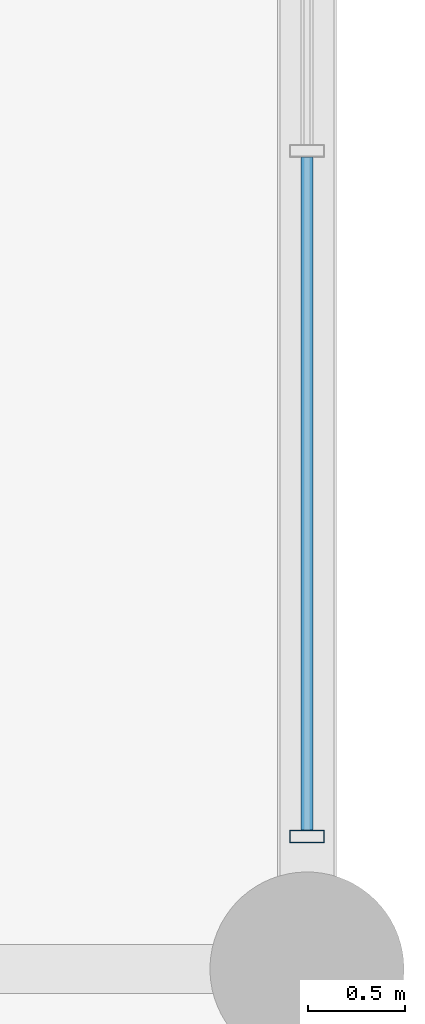
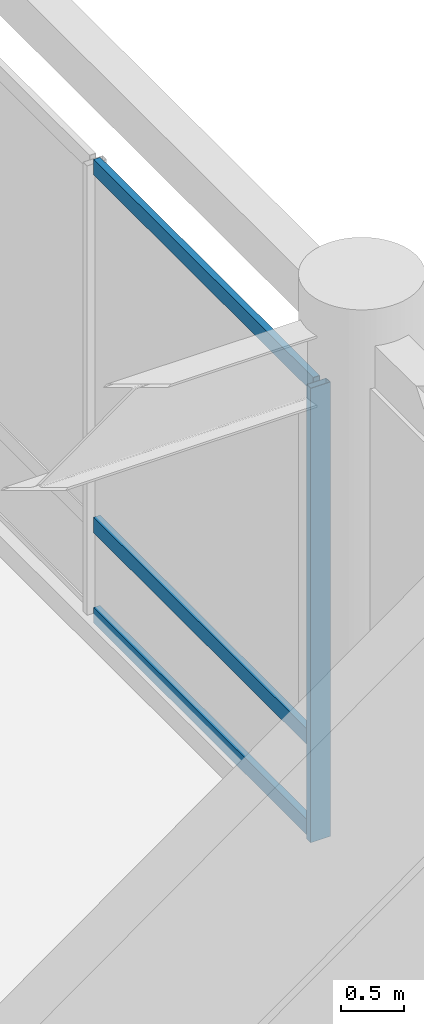
# One storey, part 73 of 108: 4 members, 1 element without a shape of its own.
"""IFC4 building model written with IfcOpenShell, lengths in metres."""

from ifc_helpers import new_model, si_unit, direction, frame, origin, origin_2d, place, context, subcontext, project, spatial, hollow_rectangle, extrude, material, material_profile, profile_set, type_object, element, aggregate, save


model = new_model("IFC4")

# Units and contexts
model_context = context("Model", 3, precision=1e-05, world=origin(), true_north=direction((0.0, 1.0)))
body_context = subcontext(model_context, "Body", "Model", "MODEL_VIEW")
ifc_project = project(units=[si_unit("LENGTHUNIT", "METRE"), si_unit("AREAUNIT", "SQUARE_METRE"), si_unit("VOLUMEUNIT", "CUBIC_METRE"), si_unit("PLANEANGLEUNIT", "RADIAN"), si_unit("MASSUNIT", "GRAM", prefix="KILO")], contexts=[model_context])

# Site, building, storey
site_placement = place(None, origin())
site = spatial("IfcSite", under=ifc_project, at=site_placement, CompositionType="ELEMENT")
building_placement = place(site_placement, origin())
building = spatial("IfcBuilding", under=site, at=building_placement, Name="Kaldorvane Square Convention Centre", CompositionType="ELEMENT")
storey_placement = place(building_placement, frame((0.0, 0.0, 12.0)))
storey = spatial("IfcBuildingStorey", under=building, at=storey_placement, Name="L02", CompositionType="ELEMENT", Elevation=12.0)

# Curtain wall, members
ifc_material = material(Name="Anodized Aluminum and Low-E Insulated Glazing", Category="aluminium")
curtain_wall_type = type_object("IfcCurtainWallType", Name="CW-UNI-P60-09", PredefinedType="USERDEFINED", material=ifc_material)
curtain_wall_placement = place(storey_placement, origin())
curtain_wall = element("IfcCurtainWall", 1, at=curtain_wall_placement, inside=storey, type_object=curtain_wall_type, Name="Curtain Wall CW-02 (L02)", ObjectType="UNITISED GLAZING", PredefinedType="USERDEFINED")
ifc_material_profile_1 = material_profile(ifc_material, hollow_rectangle(XDim=0.06500244140625, YDim=0.17999267578125, WallThickness=0.0034942626953125, at=origin_2d()), Name="CWM-180X65")
ifc_profile_set_1 = profile_set([ifc_material_profile_1], Name="Anodized Aluminum and Low-E Insulated Glazing")
member_type_1 = type_object("IfcMemberType", Name="CW-MUL-180", PredefinedType="MULLION", material=ifc_profile_set_1)
member_1_placement = place(storey_placement, frame((174.0, 84.6824951171875, 0.149993896484375), z_axis=(0.0, 0.0, 1.0), x_axis=(0.0, 1.0, 0.0)))
member_1 = element("IfcMember", 2, at=member_1_placement, type_object=member_type_1, Name="CW-02 mullion 1", PredefinedType="MULLION", context=body_context, shape_type="SweptSolid", body=[
    extrude(hollow_rectangle(XDim=0.06500244140625, YDim=0.17999267578125, WallThickness=0.0034942626953125, at=origin_2d()), origin(), (0.0, 0.0, 1.0), 4.3800048828125),
])
ifc_material_profile_2 = material_profile(ifc_material, hollow_rectangle(XDim=0.05999755859375, YDim=0.149993896484375, WallThickness=0.003204345703125, at=origin_2d()), Name="CWT-150X60")
ifc_profile_set_2 = profile_set([ifc_material_profile_2], Name="Anodized Aluminum and Low-E Insulated Glazing")
member_type_2 = type_object("IfcMemberType", Name="CW-TRN-150", PredefinedType="USERDEFINED", material=ifc_profile_set_2)
member_2_placement = place(storey_placement, frame((174.0, 84.71499633789062, 0.17999267578125), z_axis=(0.0, 1.0, 0.0), x_axis=(-1.0, 0.0, 0.0)))
member_2 = element("IfcMember", 3, at=member_2_placement, type_object=member_type_2, Name="CW-02 transom 1.1", ObjectType="TRANSOM", PredefinedType="USERDEFINED", context=body_context, shape_type="SweptSolid", body=[
    extrude(hollow_rectangle(XDim=0.05999755859375, YDim=0.149993896484375, WallThickness=0.003204345703125, at=origin_2d()), origin(), (0.0, 0.0, 1.0), 3.46917724609375),
])
member_3_placement = place(storey_placement, frame((174.0, 84.71499633789062, 1.0500030517578125), z_axis=(0.0, 1.0, 0.0), x_axis=(-1.0, 0.0, 0.0)))
member_3 = element("IfcMember", 4, at=member_3_placement, type_object=member_type_2, Name="CW-02 transom 1.2", ObjectType="TRANSOM", PredefinedType="USERDEFINED", context=body_context, shape_type="SweptSolid", body=[
    extrude(hollow_rectangle(XDim=0.05999755859375, YDim=0.149993896484375, WallThickness=0.003204345703125, at=origin_2d()), origin(), (0.0, 0.0, 1.0), 3.46917724609375),
])
member_4_placement = place(storey_placement, frame((174.0, 84.71499633789062, 4.5), z_axis=(0.0, 1.0, 0.0), x_axis=(-1.0, 0.0, 0.0)))
member_4 = element("IfcMember", 5, at=member_4_placement, type_object=member_type_2, Name="CW-02 transom 1.3", ObjectType="TRANSOM", PredefinedType="USERDEFINED", context=body_context, shape_type="SweptSolid", body=[
    extrude(hollow_rectangle(XDim=0.05999755859375, YDim=0.149993896484375, WallThickness=0.003204345703125, at=origin_2d()), origin(), (0.0, 0.0, 1.0), 3.46917724609375),
])
aggregate(curtain_wall, [member_1, member_2, member_3, member_4])

save(model, "model.ifc")
